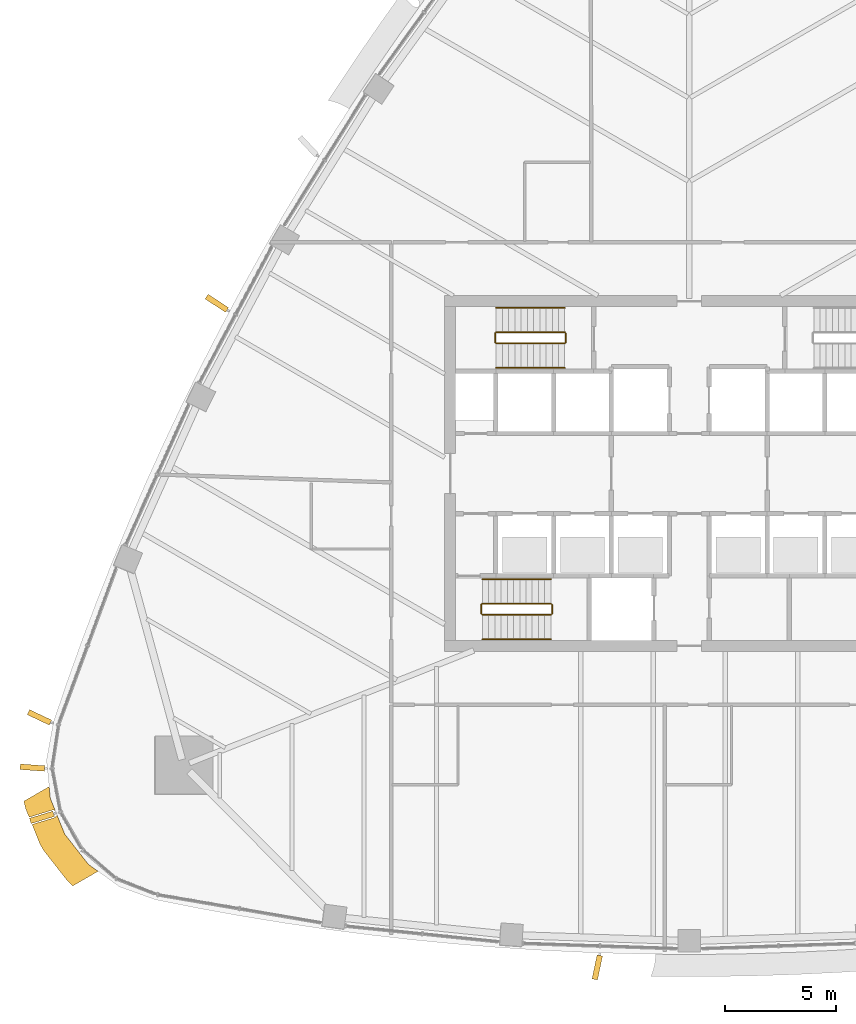
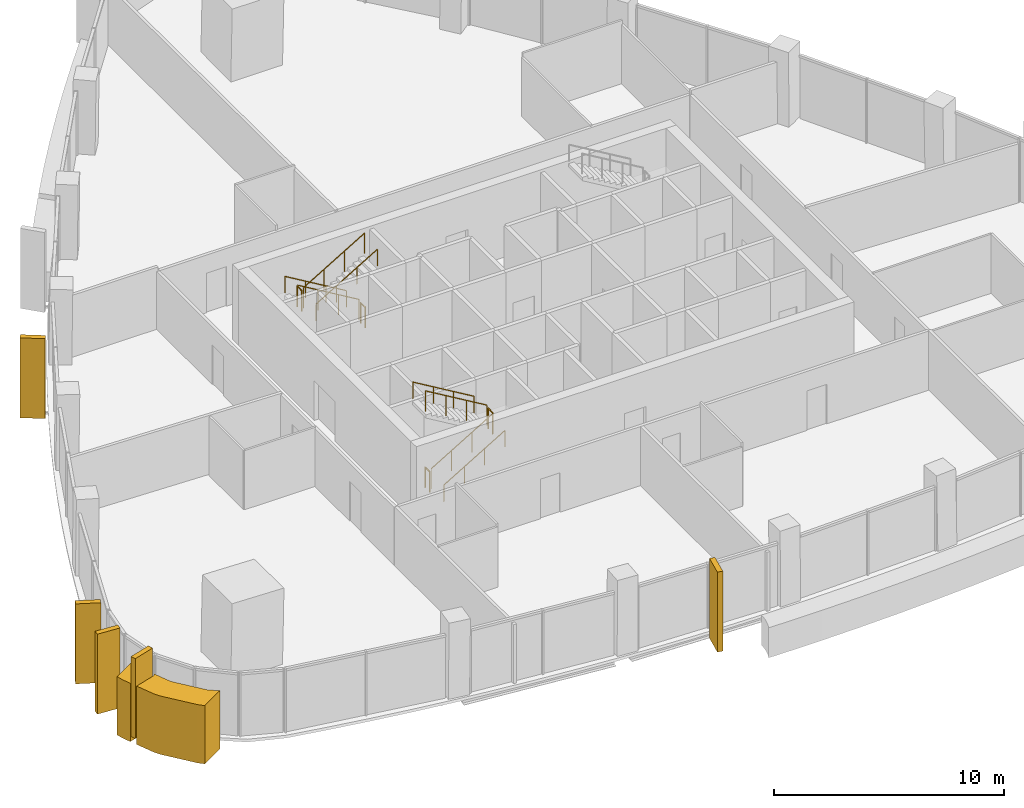
# One storey, part 16 of 19: 12 railings, 7 coverings.
"""IFC4 building model written with IfcOpenShell, lengths in metres."""

from ifc_helpers import new_model, si_unit, direction, frame, origin, origin_2d, place, context, subcontext, project, spatial, polyline, rectangle, circle, outline, extrude, material, layer, layer_set, material_profile, profile_set, type_object, element, save


model = new_model("IFC4")

# Units and contexts
model_context = context("Model", 3, precision=1e-05, world=origin(), true_north=direction((0.0, 1.0)))
body_context = subcontext(model_context, "Body", "Model", "MODEL_VIEW")
ifc_project = project(units=[si_unit("LENGTHUNIT", "METRE"), si_unit("AREAUNIT", "SQUARE_METRE"), si_unit("VOLUMEUNIT", "CUBIC_METRE"), si_unit("PLANEANGLEUNIT", "RADIAN"), si_unit("MASSUNIT", "GRAM", prefix="KILO")], contexts=[model_context])

# Site, building, storey
site_placement = place(None, origin())
site = spatial("IfcSite", under=ifc_project, at=site_placement, CompositionType="ELEMENT")
building_placement = place(site_placement, origin())
building = spatial("IfcBuilding", under=site, at=building_placement, Name="Sierra Prisma Convention Tower", CompositionType="ELEMENT")
storey_placement = place(building_placement, frame((0.0, 0.0, 209.800048828125)))
storey = spatial("IfcBuildingStorey", under=building, at=storey_placement, Name="L47", CompositionType="ELEMENT", Elevation=209.800048828125)

# Coverings
ifc_material_1 = material(Name="Aluminium composite bronze anodised", Category="aluminium")
ifc_layer = layer(ifc_material_1, 1.199951171875)
ifc_layer_set = layer_set([ifc_layer], Name="Bronze corner pier")
covering_type_1 = type_object("IfcCoveringType", Name="Bronze corner pier", PredefinedType="CLADDING", material=ifc_layer_set)
covering_1_placement = place(storey_placement, frame((0.0, 0.0, -0.60009765625)))
element("IfcCovering", 1, at=covering_1_placement, inside=storey, type_object=covering_type_1, Name="Corner pier SW L47.1", PredefinedType="CLADDING", context=body_context, shape_type="SweptSolid", body=[
    extrude(outline(polyline([(-29.552001953125, -15.78173828125), (-28.529541015625, -15.47021484375), (-28.52490234375, -15.468505859375), (-28.520263671875, -15.46630859375), (-28.51611328125, -15.463623046875), (-28.511962890625, -15.460693359375), (-28.50830078125, -15.457275390625), (-28.5048828125, -15.453369140625), (-28.42919921875, -15.357666015625), (-28.083984375, -16.21435546875), (-27.01806640625, -17.575927734375), (-26.584716796875, -17.888916015625), (-27.72314453125, -18.54638671875), (-27.962890625, -18.315673828125), (-29.02880859375, -16.9541015625), (-29.197021484375, -16.662841796875), (-29.552001953125, -15.78173828125)])), origin(), (0.0, 0.0, 1.0), 3.10009765625),
])
covering_2_placement = place(storey_placement, frame((0.0, 0.0, -0.60009765625)))
element("IfcCovering", 2, at=covering_2_placement, inside=storey, type_object=covering_type_1, Name="Corner pier SW L47.2", PredefinedType="CLADDING", context=body_context, shape_type="SweptSolid", body=[
    extrude(outline(polyline([(-29.84326171875, -15.058837890625), (-29.923095703125, -14.73583984375), (-28.78466796875, -14.07861328125), (-28.730224609375, -14.6103515625), (-28.510498046875, -15.155517578125), (-28.606201171875, -15.134521484375), (-28.611328125, -15.133544921875), (-28.616455078125, -15.13330078125), (-28.62158203125, -15.133544921875), (-28.626708984375, -15.13427734375), (-28.631591796875, -15.135498046875), (-29.683349609375, -15.455810546875), (-29.84326171875, -15.058837890625)])), origin(), (0.0, 0.0, 1.0), 3.10009765625),
])
ifc_material_2 = material(Name="Aluminium 6063-T6 bronze anodised", Category="aluminium")
ifc_material_profile = material_profile(ifc_material_2, rectangle(XDim=1.10009765625, YDim=0.25, at=origin_2d()), Name="ALU FIN 1100x250")
ifc_profile_set = profile_set([ifc_material_profile], Name="Aluminium 6063-T6 bronze anodised")
covering_type_2 = type_object("IfcCoveringType", Name="Bronze facade fin", PredefinedType="CLADDING", material=ifc_profile_set)
for number, where, z_axis, x_axis, name in (
    (3, (-4.135498046875, -22.2119140625, -0.300048828125), (0.0, 0.0, 1.0), (-0.205669900235, -0.97862142432, 0.0), "Fin L47.8"),
    (4, (-21.24169921875, 7.654052734375, -0.300048828125), (0.0, 0.0, 1.0), (-0.837420426493, 0.546559264209, 0.0), "Fin L47.55"),
    (5, (-29.2197265625, -10.967041015625, -0.300048828125), (0.0, 0.0, 1.0), (-0.904327809721, 0.426838625906, 0.0), "Fin L47.62"),
    (6, (-29.536865234375, -13.226318359375, -0.300048828125), (0.0, 0.0, 1.0), (-0.997365036376, 0.072546428, 0.0), "Fin L47.63"),
    (7, (-29.106689453125, -15.463134765625, -0.300048828125), (0.0, 0.0, 1.0), (-0.956576932476, -0.291479968874, 0.0), "Fin L47.64"),
):
    element("IfcCovering", number, at=place(storey_placement, frame(where, z_axis=z_axis, x_axis=x_axis)), inside=storey, type_object=covering_type_2, Name=name, ObjectType="FIN", PredefinedType="CLADDING", context=body_context, shape_type="SweptSolid", body=[
        extrude(rectangle(XDim=1.10009765625, YDim=0.25, at=origin_2d()), origin(), (0.0, 0.0, 1.0), 4.25),
    ])

# Railings
ifc_material_3 = material(Name="Stainless steel", Category="steel")
railing_type_1 = type_object("IfcRailingType", Name="Exit stair handrail", PredefinedType="HANDRAIL", material=ifc_material_3)
railing_1_placement = place(storey_placement, frame((-9.300048828125, -7.449951171875, 0.16650390625)))
element("IfcRailing", 8, at=railing_1_placement, inside=storey, type_object=railing_type_1, Name="L47 S1 stair handrail 1", PredefinedType="HANDRAIL", context=body_context, shape_type="SweptSolid", body=[
    extrude(circle(Radius=0.02392578125, at=origin_2d()), frame((0.0, 0.0, 0.8759765625), z_axis=(0.85927862911, 0.0, 0.511507807912), x_axis=(0.0, 1.0, 0.0)), (0.0, 0.0, 1.0), 3.58447265625),
    extrude(circle(Radius=0.02099609375, at=origin_2d()), origin(), (0.0, 0.0, 1.0), 0.851806640625),
    extrude(circle(Radius=0.02099609375, at=origin_2d()), frame((1.026611328125, 0.0, 0.611083984375)), (0.0, 0.0, 1.0), 0.851806640625),
    extrude(circle(Radius=0.02099609375, at=origin_2d()), frame((2.053466796875, 0.0, 1.222412109375)), (0.0, 0.0, 1.0), 0.851806640625),
    extrude(circle(Radius=0.02099609375, at=origin_2d()), frame((3.080078125, 0.0, 1.83349609375)), (0.0, 0.0, 1.0), 0.851806640625),
])
railing_2_placement = place(storey_placement, frame((-6.219970703125, -4.75, 2.16650390625)))
element("IfcRailing", 9, at=railing_2_placement, inside=storey, type_object=railing_type_1, Name="L47 S1 stair handrail 2", PredefinedType="HANDRAIL", context=body_context, shape_type="SweptSolid", body=[
    extrude(circle(Radius=0.02392578125, at=origin_2d()), frame((0.0, 0.0, 0.8759765625), z_axis=(-0.85927862911, 0.0, 0.511507807912), x_axis=(0.0, -1.0, 0.0)), (0.0, 0.0, 1.0), 3.58447265625),
    extrude(circle(Radius=0.02099609375, at=origin_2d()), origin(), (0.0, 0.0, 1.0), 0.851806640625),
    extrude(circle(Radius=0.02099609375, at=origin_2d()), frame((-1.026611328125, 0.0, 0.611083984375)), (0.0, 0.0, 1.0), 0.851806640625),
    extrude(circle(Radius=0.02099609375, at=origin_2d()), frame((-2.053466796875, 0.0, 1.222412109375)), (0.0, 0.0, 1.0), 0.851806640625),
    extrude(circle(Radius=0.02099609375, at=origin_2d()), frame((-3.080078125, 0.0, 1.83349609375)), (0.0, 0.0, 1.0), 0.851806640625),
])
railing_3_placement = place(storey_placement, frame((-5.60009765625, 7.449951171875, 0.16650390625)))
element("IfcRailing", 10, at=railing_3_placement, inside=storey, type_object=railing_type_1, Name="L47 S3 stair handrail 1", PredefinedType="HANDRAIL", context=body_context, shape_type="SweptSolid", body=[
    extrude(circle(Radius=0.02392578125, at=origin_2d()), frame((0.0, 0.0, 0.8759765625), z_axis=(-0.859260807169, 0.0, 0.511537745687), x_axis=(0.0, -1.0, 0.0)), (0.0, 0.0, 1.0), 3.584228515625),
    extrude(circle(Radius=0.02099609375, at=origin_2d()), origin(), (0.0, 0.0, 1.0), 0.851806640625),
    extrude(circle(Radius=0.02099609375, at=origin_2d()), frame((-1.026611328125, 0.0, 0.611083984375)), (0.0, 0.0, 1.0), 0.851806640625),
    extrude(circle(Radius=0.02099609375, at=origin_2d()), frame((-2.05322265625, 0.0, 1.222412109375)), (0.0, 0.0, 1.0), 0.851806640625),
    extrude(circle(Radius=0.02099609375, at=origin_2d()), frame((-3.079833984375, 0.0, 1.83349609375)), (0.0, 0.0, 1.0), 0.851806640625),
])
railing_4_placement = place(storey_placement, frame((-8.679931640625, 4.75, 2.16650390625)))
element("IfcRailing", 11, at=railing_4_placement, inside=storey, type_object=railing_type_1, Name="L47 S3 stair handrail 2", PredefinedType="HANDRAIL", context=body_context, shape_type="SweptSolid", body=[
    extrude(circle(Radius=0.02392578125, at=origin_2d()), frame((0.0, 0.0, 0.8759765625), z_axis=(0.859260807169, 0.0, 0.511537745687), x_axis=(0.0, 1.0, 0.0)), (0.0, 0.0, 1.0), 3.584228515625),
    extrude(circle(Radius=0.02099609375, at=origin_2d()), origin(), (0.0, 0.0, 1.0), 0.851806640625),
    extrude(circle(Radius=0.02099609375, at=origin_2d()), frame((1.026611328125, 0.0, 0.611083984375)), (0.0, 0.0, 1.0), 0.851806640625),
    extrude(circle(Radius=0.02099609375, at=origin_2d()), frame((2.05322265625, 0.0, 1.222412109375)), (0.0, 0.0, 1.0), 0.851806640625),
    extrude(circle(Radius=0.02099609375, at=origin_2d()), frame((3.079833984375, 0.0, 1.83349609375)), (0.0, 0.0, 1.0), 0.851806640625),
])
ifc_material_4 = material(Name="Stainless steel", Category="steel")
railing_type_2 = type_object("IfcRailingType", Name="Stair guard 1100", PredefinedType="GUARDRAIL", material=ifc_material_4)
railing_5_placement = place(storey_placement, frame((-9.300048828125, -6.35009765625, 0.16650390625)))
element("IfcRailing", 12, at=railing_5_placement, inside=storey, type_object=railing_type_2, Name="L47 S1 stair guard 1", PredefinedType="GUARDRAIL", context=body_context, shape_type="SweptSolid", body=[
    extrude(circle(Radius=0.02392578125, at=origin_2d()), frame((0.0, 0.0, 1.076171875), z_axis=(0.85927862911, 0.0, 0.511507807912), x_axis=(0.0, 1.0, 0.0)), (0.0, 0.0, 1.0), 3.58447265625),
    extrude(circle(Radius=0.02099609375, at=origin_2d()), origin(), (0.0, 0.0, 1.0), 1.052001953125),
    extrude(circle(Radius=0.02099609375, at=origin_2d()), frame((1.026611328125, 0.0, 0.611083984375)), (0.0, 0.0, 1.0), 1.052001953125),
    extrude(circle(Radius=0.02099609375, at=origin_2d()), frame((2.053466796875, 0.0, 1.222412109375)), (0.0, 0.0, 1.0), 1.052001953125),
    extrude(circle(Radius=0.02099609375, at=origin_2d()), frame((3.080078125, 0.0, 1.83349609375)), (0.0, 0.0, 1.0), 1.052001953125),
])
railing_6_placement = place(storey_placement, frame((-6.169921875, -6.300048828125, 2.0)))
element("IfcRailing", 13, at=railing_6_placement, inside=storey, type_object=railing_type_2, Name="L47 S1 stair guard 2", PredefinedType="GUARDRAIL", context=body_context, shape_type="SweptSolid", body=[
    extrude(circle(Radius=0.02392578125, at=origin_2d()), frame((0.0, 0.0, 1.076171875), z_axis=(0.0, 1.0, 0.0), x_axis=(-1.0, 0.0, 0.0)), (0.0, 0.0, 1.0), 0.400146484375),
    extrude(circle(Radius=0.02099609375, at=origin_2d()), origin(), (0.0, 0.0, 1.0), 1.052001953125),
    extrude(circle(Radius=0.02099609375, at=origin_2d()), frame((0.0, 0.400146484375, 0.0)), (0.0, 0.0, 1.0), 1.052001953125),
])
railing_7_placement = place(storey_placement, frame((-6.219970703125, -5.85009765625, 2.16650390625)))
element("IfcRailing", 14, at=railing_7_placement, inside=storey, type_object=railing_type_2, Name="L47 S1 stair guard 3", PredefinedType="GUARDRAIL", context=body_context, shape_type="SweptSolid", body=[
    extrude(circle(Radius=0.02392578125, at=origin_2d()), frame((0.0, 0.0, 1.076171875), z_axis=(-0.85927862911, 0.0, 0.511507807912), x_axis=(0.0, -1.0, 0.0)), (0.0, 0.0, 1.0), 3.58447265625),
    extrude(circle(Radius=0.02099609375, at=origin_2d()), origin(), (0.0, 0.0, 1.0), 1.052001953125),
    extrude(circle(Radius=0.02099609375, at=origin_2d()), frame((-1.026611328125, 0.0, 0.611083984375)), (0.0, 0.0, 1.0), 1.052001953125),
    extrude(circle(Radius=0.02099609375, at=origin_2d()), frame((-2.053466796875, 0.0, 1.222412109375)), (0.0, 0.0, 1.0), 1.052001953125),
    extrude(circle(Radius=0.02099609375, at=origin_2d()), frame((-3.080078125, 0.0, 1.83349609375)), (0.0, 0.0, 1.0), 1.052001953125),
])
railing_8_placement = place(storey_placement, frame((-9.35009765625, -6.300048828125, 0.0)))
element("IfcRailing", 15, at=railing_8_placement, inside=storey, type_object=railing_type_2, Name="L47 S1 stair guard 4", PredefinedType="GUARDRAIL", context=body_context, shape_type="SweptSolid", body=[
    extrude(circle(Radius=0.02392578125, at=origin_2d()), frame((0.0, 0.0, 1.076171875), z_axis=(0.0, 1.0, 0.0), x_axis=(-1.0, 0.0, 0.0)), (0.0, 0.0, 1.0), 0.400146484375),
    extrude(circle(Radius=0.02099609375, at=origin_2d()), origin(), (0.0, 0.0, 1.0), 1.052001953125),
    extrude(circle(Radius=0.02099609375, at=origin_2d()), frame((0.0, 0.400146484375, 0.0)), (0.0, 0.0, 1.0), 1.052001953125),
])
railing_9_placement = place(storey_placement, frame((-5.60009765625, 6.35009765625, 0.16650390625)))
element("IfcRailing", 16, at=railing_9_placement, inside=storey, type_object=railing_type_2, Name="L47 S3 stair guard 1", PredefinedType="GUARDRAIL", context=body_context, shape_type="SweptSolid", body=[
    extrude(circle(Radius=0.02392578125, at=origin_2d()), frame((0.0, 0.0, 1.076171875), z_axis=(-0.859260807169, 0.0, 0.511537745687), x_axis=(0.0, -1.0, 0.0)), (0.0, 0.0, 1.0), 3.584228515625),
    extrude(circle(Radius=0.02099609375, at=origin_2d()), origin(), (0.0, 0.0, 1.0), 1.052001953125),
    extrude(circle(Radius=0.02099609375, at=origin_2d()), frame((-1.026611328125, 0.0, 0.611083984375)), (0.0, 0.0, 1.0), 1.052001953125),
    extrude(circle(Radius=0.02099609375, at=origin_2d()), frame((-2.05322265625, 0.0, 1.222412109375)), (0.0, 0.0, 1.0), 1.052001953125),
    extrude(circle(Radius=0.02099609375, at=origin_2d()), frame((-3.079833984375, 0.0, 1.83349609375)), (0.0, 0.0, 1.0), 1.052001953125),
])
railing_10_placement = place(storey_placement, frame((-8.72998046875, 6.300048828125, 2.0)))
element("IfcRailing", 17, at=railing_10_placement, inside=storey, type_object=railing_type_2, Name="L47 S3 stair guard 2", PredefinedType="GUARDRAIL", context=body_context, shape_type="SweptSolid", body=[
    extrude(circle(Radius=0.02392578125, at=origin_2d()), frame((0.0, 0.0, 1.076171875), z_axis=(0.0, -1.0, 0.0), x_axis=(1.0, 0.0, 0.0)), (0.0, 0.0, 1.0), 0.400146484375),
    extrude(circle(Radius=0.02099609375, at=origin_2d()), origin(), (0.0, 0.0, 1.0), 1.052001953125),
    extrude(circle(Radius=0.02099609375, at=origin_2d()), frame((0.0, -0.400146484375, 0.0)), (0.0, 0.0, 1.0), 1.052001953125),
])
railing_11_placement = place(storey_placement, frame((-8.679931640625, 5.85009765625, 2.16650390625)))
element("IfcRailing", 18, at=railing_11_placement, inside=storey, type_object=railing_type_2, Name="L47 S3 stair guard 3", PredefinedType="GUARDRAIL", context=body_context, shape_type="SweptSolid", body=[
    extrude(circle(Radius=0.02392578125, at=origin_2d()), frame((0.0, 0.0, 1.076171875), z_axis=(0.859260807169, 0.0, 0.511537745687), x_axis=(0.0, 1.0, 0.0)), (0.0, 0.0, 1.0), 3.584228515625),
    extrude(circle(Radius=0.02099609375, at=origin_2d()), origin(), (0.0, 0.0, 1.0), 1.052001953125),
    extrude(circle(Radius=0.02099609375, at=origin_2d()), frame((1.026611328125, 0.0, 0.611083984375)), (0.0, 0.0, 1.0), 1.052001953125),
    extrude(circle(Radius=0.02099609375, at=origin_2d()), frame((2.05322265625, 0.0, 1.222412109375)), (0.0, 0.0, 1.0), 1.052001953125),
    extrude(circle(Radius=0.02099609375, at=origin_2d()), frame((3.079833984375, 0.0, 1.83349609375)), (0.0, 0.0, 1.0), 1.052001953125),
])
railing_12_placement = place(storey_placement, frame((-5.550048828125, 6.300048828125, 0.0)))
element("IfcRailing", 19, at=railing_12_placement, inside=storey, type_object=railing_type_2, Name="L47 S3 stair guard 4", PredefinedType="GUARDRAIL", context=body_context, shape_type="SweptSolid", body=[
    extrude(circle(Radius=0.02392578125, at=origin_2d()), frame((0.0, 0.0, 1.076171875), z_axis=(0.0, -1.0, 0.0), x_axis=(1.0, 0.0, 0.0)), (0.0, 0.0, 1.0), 0.400146484375),
    extrude(circle(Radius=0.02099609375, at=origin_2d()), origin(), (0.0, 0.0, 1.0), 1.052001953125),
    extrude(circle(Radius=0.02099609375, at=origin_2d()), frame((0.0, -0.400146484375, 0.0)), (0.0, 0.0, 1.0), 1.052001953125),
])

save(model, "model.ifc")
